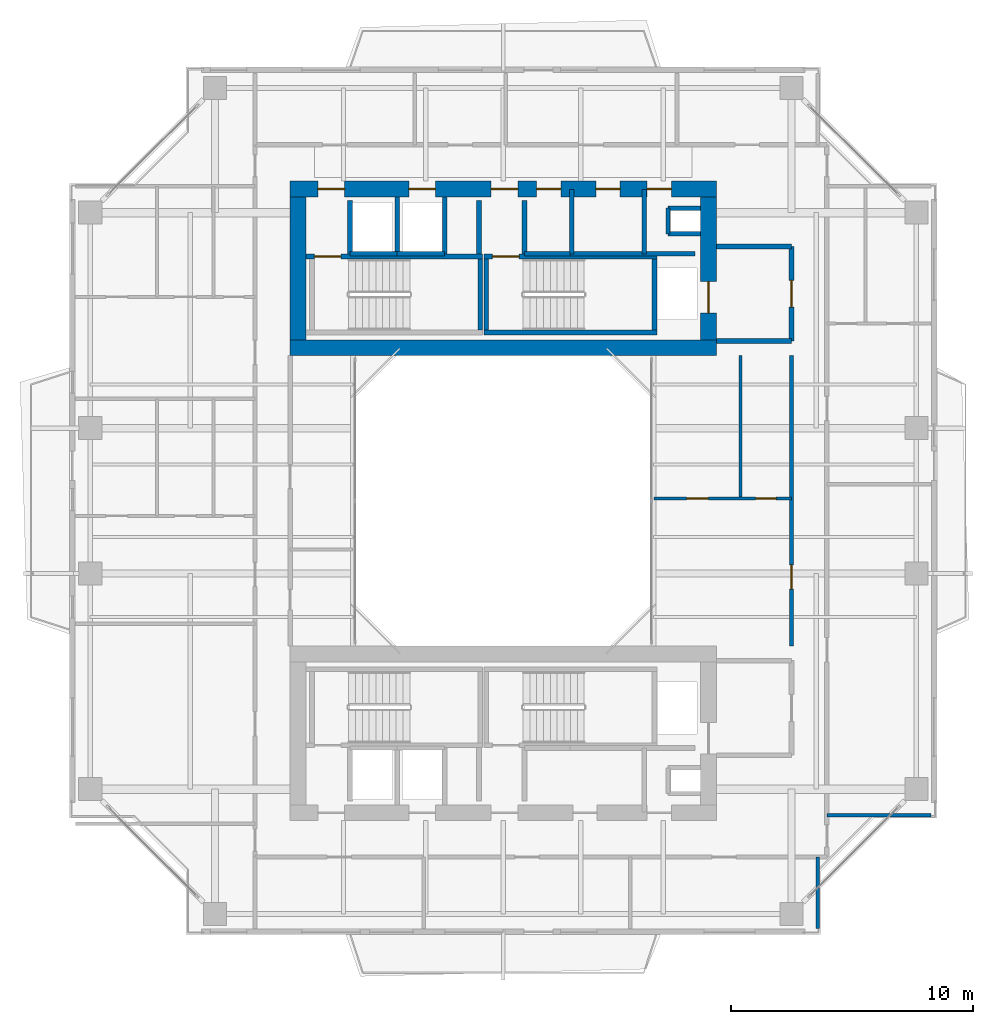
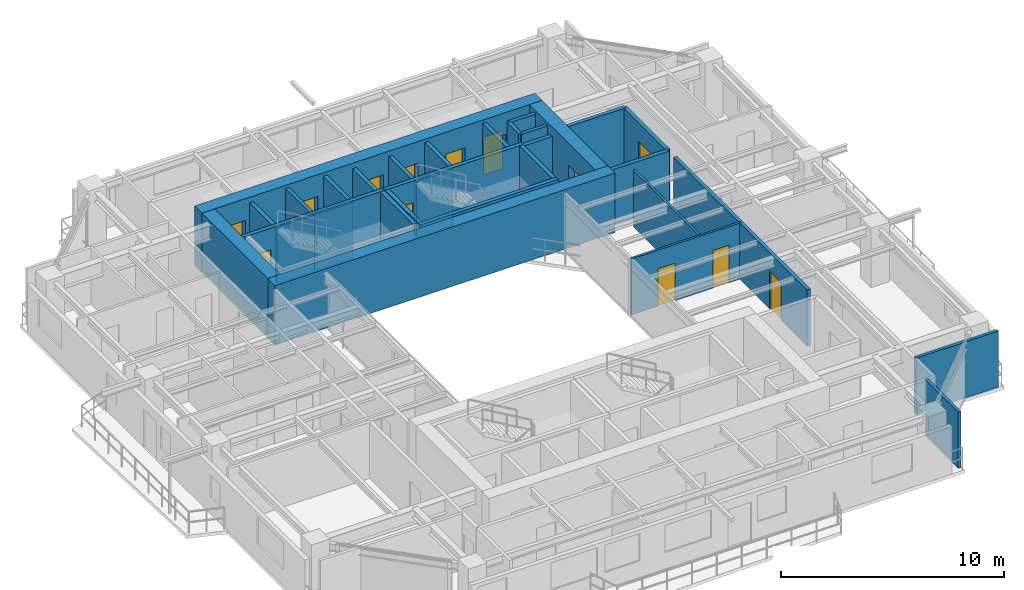
# One storey, part 13 of 18: 32 walls, 13 doors, 13 openings.
"""IFC4 building model written with IfcOpenShell, lengths in metres."""

from ifc_helpers import new_model, si_unit, direction, frame, frame_2d, origin, place, context, subcontext, project, spatial, rectangle, extrude, source, transform, mapped, material, layer, layer_set, type_object, element, fill, save


model = new_model("IFC4")

# Units and contexts
model_context = context("Model", 3, precision=1e-05, world=origin(), true_north=direction((0.0, 1.0)))
body_context = subcontext(model_context, "Body", "Model", "MODEL_VIEW")
ifc_project = project(units=[si_unit("LENGTHUNIT", "METRE"), si_unit("AREAUNIT", "SQUARE_METRE"), si_unit("VOLUMEUNIT", "CUBIC_METRE"), si_unit("PLANEANGLEUNIT", "RADIAN"), si_unit("MASSUNIT", "GRAM", prefix="KILO"), si_unit("THERMODYNAMICTEMPERATUREUNIT", "KELVIN"), si_unit("POWERUNIT", "WATT")], contexts=[model_context])

# Site, building, storey
site_placement = place(None, origin())
site = spatial("IfcSite", under=ifc_project, at=site_placement, CompositionType="ELEMENT")
building_placement = place(site_placement, origin())
building = spatial("IfcBuilding", under=site, at=building_placement, Name="Qiaomeng Ring Towers", CompositionType="ELEMENT")
storey_placement = place(building_placement, frame((0.0, 0.0, 147.0)))
storey = spatial("IfcBuildingStorey", under=building, at=storey_placement, Name="L42", CompositionType="ELEMENT", Elevation=147.0)

# Walls
ifc_material_1 = material(Name="Autoclaved aerated concrete block", Category="concrete")
ifc_layer_1 = layer(ifc_material_1, 0.199951171875, Name="Autoclaved aerated concrete block")
ifc_layer_set_1 = layer_set([ifc_layer_1], Name="Autoclaved aerated concrete block")
wall_type_1 = type_object("IfcWallType", Name="ARC-WL-PW1", PredefinedType="PARTITIONING", material=ifc_layer_set_1)
for number, where, z_axis, x_axis, name in (
    (1, (27.800048828125, 29.60009765625, 0.0), (0.0, 0.0, 1.0), (1.0, 0.0, 0.0), "L42 Interior Wall PW1"),
    (2, (27.800048828125, 33.5, 0.0), (0.0, 0.0, 1.0), (1.0, 0.0, 0.0), "L42 Interior Wall PW1"),
):
    element("IfcWall", number, at=place(storey_placement, frame(where, z_axis=z_axis, x_axis=x_axis)), inside=storey, type_object=wall_type_1, Name=name, PredefinedType="PARTITIONING", context=body_context, shape_type="SweptSolid", body=[
        extrude(rectangle(XDim=3.099853515625, YDim=0.199951171875, at=frame_2d((1.5498046875, 0.0))), origin(), (0.0, 0.0, 1.0), 3.070068359375),
    ])

# Wall, opening, door
wall_1_placement = place(storey_placement, frame((30.89990234375, 29.60009765625, 0.0), z_axis=(0.0, 0.0, 1.0), x_axis=(0.0, 1.0, 0.0)))
wall_1 = element("IfcWall", 3, at=wall_1_placement, inside=storey, type_object=wall_type_1, Name="L42 Interior Wall PW1", PredefinedType="PARTITIONING", context=body_context, shape_type="SweptSolid", body=[
    extrude(rectangle(XDim=3.89990234375, YDim=0.199951171875, at=frame_2d((1.949951171875, 0.0))), origin(), (0.0, 0.0, 1.0), 3.070068359375),
])
opening_1_placement = place(wall_1_placement, frame((1.39990234375, 0.0, 0.0)))
opening_1 = element("IfcOpeningElement", 4, at=opening_1_placement, cuts=wall_1, Name="Opening FD3", PredefinedType="OPENING", context=body_context, shape_type="SweptSolid", body=[
    extrude(rectangle(XDim=1.10009765625, YDim=2.050048828125, at=frame_2d((0.550048828125, 1.02490234375))), frame((0.0, 0.10986328125, 0.0), z_axis=(0.0, -1.0, 0.0), x_axis=(1.0, 0.0, 0.0)), (0.0, 0.0, 1.0), 0.219970703125),
])
ifc_material_2 = material(Name="Galvanised steel", Category="steel")
door_type_1 = type_object("IfcDoorType", Name="ARC-DR-FD3", OperationType="NOTDEFINED", PredefinedType="DOOR", material=ifc_material_2)
shared_shape_1 = source(origin(), body_context, "Body", "SweptSolid", [
    extrude(rectangle(XDim=1.10009765625, YDim=2.050048828125, at=frame_2d((0.550048828125, 1.02490234375))), frame((0.0, 0.02490234375, 0.0), z_axis=(0.0, -1.0, 0.0), x_axis=(1.0, 0.0, 0.0)), (0.0, 0.0, 1.0), 0.050048828125),
])
door_1_placement = place(opening_1_placement, origin())
door_1 = element("IfcDoor", 5, at=door_1_placement, inside=storey, type_object=door_type_1, Name="L42 North FF Lobby Door", OperationType="SINGLE_SWING_RIGHT", OverallHeight=2.050048828125, OverallWidth=1.10009765625, PredefinedType="DOOR", context=body_context, shape_type="MappedRepresentation", body=[
    mapped(shared_shape_1, transform((0.0, 0.0, 0.0), x_axis=(1.0, 0.0, 0.0), y_axis=(0.0, 1.0, 0.0), z_axis=(0.0, 0.0, 1.0), scale=1.0)),
])
fill(opening_1, door_1)

# Walls
for number, where, z_axis, x_axis, name in (
    (6, (12.679931640625, 33.18994140625, 0.0), (0.0, 0.0, 1.0), (0.0, 1.0, 0.0), "L42 Interior Wall PW1"),
    (7, (18.0, 33.18994140625, 0.0), (0.0, 0.0, 1.0), (0.0, 1.0, 0.0), "L42 Interior Wall PW1"),
    (8, (19.8798828125, 33.18994140625, 0.0), (0.0, 0.0, 1.0), (0.0, 1.0, 0.0), "L42 Interior Wall PW1"),
):
    element("IfcWall", number, at=place(storey_placement, frame(where, z_axis=z_axis, x_axis=x_axis)), inside=storey, type_object=wall_type_1, Name=name, PredefinedType="PARTITIONING", context=body_context, shape_type="SweptSolid", body=[
        extrude(rectangle(XDim=2.2099609375, YDim=0.199951171875, at=frame_2d((1.10498046875, 0.0))), origin(), (0.0, 0.0, 1.0), 3.070068359375),
    ])
wall_2_placement = place(storey_placement, frame((24.820068359375, 33.199951171875, 0.0), z_axis=(0.0, 0.0, 1.0), x_axis=(0.0, 1.0, 0.0)))
element("IfcWall", 9, at=wall_2_placement, inside=storey, type_object=wall_type_1, Name="L42 Interior Wall PW1", PredefinedType="PARTITIONING", context=body_context, shape_type="SweptSolid", body=[
    extrude(rectangle(XDim=2.650146484375, YDim=0.199951171875, at=frame_2d((1.3251953125, 0.0))), origin(), (0.0, 0.0, 1.0), 3.070068359375),
])
wall_3_placement = place(storey_placement, frame((19.8798828125, 33.199951171875, 0.0), z_axis=(0.0, 0.0, 1.0), x_axis=(1.0, 0.0, 0.0)))
element("IfcWall", 10, at=wall_3_placement, inside=storey, type_object=wall_type_1, Name="L42 Interior Wall PW1", PredefinedType="PARTITIONING", context=body_context, shape_type="SweptSolid", body=[
    extrude(rectangle(XDim=1.8701171875, YDim=0.199951171875, at=frame_2d((0.93505859375, 0.0))), origin(), (0.0, 0.0, 1.0), 3.070068359375),
])
wall_4_placement = place(storey_placement, frame((21.830078125, 33.199951171875, 0.0), z_axis=(0.0, 0.0, 1.0), x_axis=(0.0, 1.0, 0.0)))
element("IfcWall", 11, at=wall_4_placement, inside=storey, type_object=wall_type_1, Name="L42 Interior Wall PW1", PredefinedType="PARTITIONING", context=body_context, shape_type="SweptSolid", body=[
    extrude(rectangle(XDim=2.650146484375, YDim=0.199951171875, at=frame_2d((1.3251953125, 0.0))), origin(), (0.0, 0.0, 1.0), 3.070068359375),
])
wall_5_placement = place(storey_placement, frame((21.75, 33.199951171875, 0.0), z_axis=(0.0, 0.0, 1.0), x_axis=(1.0, 0.0, 0.0)))
element("IfcWall", 12, at=wall_5_placement, inside=storey, type_object=wall_type_1, Name="L42 Interior Wall PW1", PredefinedType="PARTITIONING", context=body_context, shape_type="SweptSolid", body=[
    extrude(rectangle(XDim=5.169921875, YDim=0.199951171875, at=frame_2d((2.5849609375, 0.0))), origin(), (0.0, 0.0, 1.0), 3.070068359375),
])

# Wall, opening, door
ifc_layer_2 = layer(ifc_material_1, 0.179931640625, Name="Autoclaved aerated concrete block")
ifc_layer_set_2 = layer_set([ifc_layer_2], Name="Autoclaved aerated concrete block")
wall_type_2 = type_object("IfcWallType", Name="ARC-WL-PW2", PredefinedType="PARTITIONING", material=ifc_layer_set_2)
wall_6_placement = place(storey_placement, frame((30.89990234375, 17.0, 0.0), z_axis=(0.0, 0.0, 1.0), x_axis=(0.0, 1.0, 0.0)))
wall_6 = element("IfcWall", 13, at=wall_6_placement, inside=storey, type_object=wall_type_2, Name="L42 Interior Wall PW2", PredefinedType="PARTITIONING", context=body_context, shape_type="SweptSolid", body=[
    extrude(rectangle(XDim=12.0, YDim=0.179931640625, at=frame_2d((6.0, 0.0))), origin(), (0.0, 0.0, 1.0), 3.070068359375),
])
opening_2_placement = place(wall_6_placement, frame((2.360107421875, 0.0, 0.0)))
opening_2 = element("IfcOpeningElement", 14, at=opening_2_placement, cuts=wall_6, Name="Opening FD4", PredefinedType="OPENING", context=body_context, shape_type="SweptSolid", body=[
    extrude(rectangle(XDim=1.0, YDim=2.050048828125, at=frame_2d((0.5, 1.02490234375))), frame((0.0, 0.099853515625, 0.0), z_axis=(0.0, -1.0, 0.0), x_axis=(1.0, 0.0, 0.0)), (0.0, 0.0, 1.0), 0.199951171875),
])
ifc_material_3 = material(Name="Engineered fire-rated oak timber", Category="wood")
door_type_2 = type_object("IfcDoorType", Name="ARC-DR-FD4", OperationType="NOTDEFINED", PredefinedType="DOOR", material=ifc_material_3)
shared_shape_2 = source(origin(), body_context, "Body", "SweptSolid", [
    extrude(rectangle(XDim=1.0, YDim=2.050048828125, at=frame_2d((0.5, 1.02490234375))), frame((0.0, 0.02490234375, 0.0), z_axis=(0.0, -1.0, 0.0), x_axis=(1.0, 0.0, 0.0)), (0.0, 0.0, 1.0), 0.050048828125),
])
door_2_placement = place(opening_2_placement, origin())
door_2 = element("IfcDoor", 15, at=door_2_placement, inside=storey, type_object=door_type_2, Name="L42 Door FD4", OperationType="SINGLE_SWING_LEFT", OverallHeight=2.050048828125, OverallWidth=1.0, PredefinedType="DOOR", context=body_context, shape_type="MappedRepresentation", body=[
    mapped(shared_shape_2, transform((0.0, 0.0, 0.0), x_axis=(1.0, 0.0, 0.0), y_axis=(0.0, 1.0, 0.0), z_axis=(0.0, 0.0, 1.0), scale=1.0)),
])
fill(opening_2, door_2)

# Walls
ifc_material_4 = material(Name="Gypsum fireboard steel-stud partition", Category="steel")
ifc_layer_3 = layer(ifc_material_4, 0.14990234375, Name="Gypsum fireboard steel-stud partition")
ifc_layer_set_3 = layer_set([ifc_layer_3], Name="Gypsum fireboard steel-stud partition")
wall_type_3 = type_object("IfcWallType", Name="ARC-WL-PW3", PredefinedType="PARTITIONING", material=ifc_layer_set_3)
wall_7_placement = place(storey_placement, frame((31.97998046875, 5.35009765625, 0.0), z_axis=(0.0, 0.0, 1.0), x_axis=(0.0, 1.0, 0.0)))
element("IfcWall", 16, at=wall_7_placement, inside=storey, type_object=wall_type_3, Name="L42 Interior Wall PW3", PredefinedType="PARTITIONING", context=body_context, shape_type="SweptSolid", body=[
    extrude(rectangle(XDim=2.949951171875, YDim=0.14990234375, at=frame_2d((1.47509765625, 0.0))), origin(), (0.0, 0.0, 1.0), 3.070068359375),
])
wall_8_placement = place(storey_placement, frame((32.360107421875, 10.02001953125, 0.0), z_axis=(0.0, 0.0, 1.0), x_axis=(1.0, 0.0, 0.0)))
element("IfcWall", 17, at=wall_8_placement, inside=storey, type_object=wall_type_3, Name="L42 Interior Wall PW3", PredefinedType="PARTITIONING", context=body_context, shape_type="SweptSolid", body=[
    extrude(rectangle(XDim=4.289794921875, YDim=0.14990234375, at=frame_2d((2.14501953125, 0.0))), origin(), (0.0, 0.0, 1.0), 3.070068359375),
])

# Wall, openings, doors
ifc_material_5 = material(Name="Moisture-resistant gypsum steel-stud partition", Category="steel")
ifc_layer_4 = layer(ifc_material_5, 0.1201171875, Name="Moisture-resistant gypsum steel-stud partition")
ifc_layer_set_4 = layer_set([ifc_layer_4], Name="Moisture-resistant gypsum steel-stud partition")
wall_type_4 = type_object("IfcWallType", Name="ARC-WL-PW4", PredefinedType="PLUMBINGWALL", material=ifc_layer_set_4)
wall_9_placement = place(storey_placement, frame((25.219970703125, 23.10009765625, 0.0), z_axis=(0.0, 0.0, 1.0), x_axis=(1.0, 0.0, 0.0)))
wall_9 = element("IfcWall", 18, at=wall_9_placement, inside=storey, type_object=wall_type_4, Name="L42 Interior Wall PW4", PredefinedType="PLUMBINGWALL", context=body_context, shape_type="SweptSolid", body=[
    extrude(rectangle(XDim=5.679931640625, YDim=0.1201171875, at=frame_2d((2.83984375, 0.0))), origin(), (0.0, 0.0, 1.0), 3.070068359375),
])
opening_3_placement = place(wall_9_placement, frame((1.35009765625, 0.0, 0.0)))
opening_3 = element("IfcOpeningElement", 19, at=opening_3_placement, cuts=wall_9, Name="Opening ID1", PredefinedType="OPENING", context=body_context, shape_type="SweptSolid", body=[
    extrude(rectangle(XDim=0.89990234375, YDim=2.050048828125, at=frame_2d((0.449951171875, 1.02490234375))), frame((0.0, 0.070068359375, 0.0), z_axis=(0.0, -1.0, 0.0), x_axis=(1.0, 0.0, 0.0)), (0.0, 0.0, 1.0), 0.14013671875),
])
opening_4_placement = place(wall_9_placement, frame((4.195068359375, 0.0, 0.0)))
opening_4 = element("IfcOpeningElement", 20, at=opening_4_placement, cuts=wall_9, Name="Opening ID2", PredefinedType="OPENING", context=body_context, shape_type="SweptSolid", body=[
    extrude(rectangle(XDim=0.85009765625, YDim=2.050048828125, at=frame_2d((0.425048828125, 1.02490234375))), frame((0.0, 0.070068359375, 0.0), z_axis=(0.0, -1.0, 0.0), x_axis=(1.0, 0.0, 0.0)), (0.0, 0.0, 1.0), 0.14013671875),
])
ifc_material_6 = material(Name="Moisture-resistant engineered timber", Category="wood")
door_type_3 = type_object("IfcDoorType", Name="ARC-DR-ID2", OperationType="NOTDEFINED", PredefinedType="DOOR", material=ifc_material_6)
shared_shape_3 = source(origin(), body_context, "Body", "SweptSolid", [
    extrude(rectangle(XDim=0.85009765625, YDim=2.050048828125, at=frame_2d((0.425048828125, 1.02490234375))), frame((0.0, 0.02490234375, 0.0), z_axis=(0.0, -1.0, 0.0), x_axis=(1.0, 0.0, 0.0)), (0.0, 0.0, 1.0), 0.050048828125),
])
door_3_placement = place(opening_4_placement, origin())
door_3 = element("IfcDoor", 21, at=door_3_placement, inside=storey, type_object=door_type_3, Name="L42 Door ID2", OperationType="SINGLE_SWING_RIGHT", OverallHeight=2.050048828125, OverallWidth=0.85009765625, PredefinedType="DOOR", context=body_context, shape_type="MappedRepresentation", body=[
    mapped(shared_shape_3, transform((0.0, 0.0, 0.0), x_axis=(1.0, 0.0, 0.0), y_axis=(0.0, 1.0, 0.0), z_axis=(0.0, 0.0, 1.0), scale=1.0)),
])
fill(opening_4, door_3)
ifc_material_7 = material(Name="Engineered oak timber", Category="wood")
door_type_4 = type_object("IfcDoorType", Name="ARC-DR-ID1", OperationType="NOTDEFINED", PredefinedType="DOOR", material=ifc_material_7)
shared_shape_4 = source(origin(), body_context, "Body", "SweptSolid", [
    extrude(rectangle(XDim=0.89990234375, YDim=2.050048828125, at=frame_2d((0.449951171875, 1.02490234375))), frame((0.0, 0.02490234375, 0.0), z_axis=(0.0, -1.0, 0.0), x_axis=(1.0, 0.0, 0.0)), (0.0, 0.0, 1.0), 0.050048828125),
])
door_4_placement = place(opening_3_placement, origin())
door_4 = element("IfcDoor", 22, at=door_4_placement, inside=storey, type_object=door_type_4, Name="L42 Door ID1", OperationType="SINGLE_SWING_LEFT", OverallHeight=2.050048828125, OverallWidth=0.89990234375, PredefinedType="DOOR", context=body_context, shape_type="MappedRepresentation", body=[
    mapped(shared_shape_4, transform((0.0, 0.0, 0.0), x_axis=(1.0, 0.0, 0.0), y_axis=(0.0, 1.0, 0.0), z_axis=(0.0, 0.0, 1.0), scale=1.0)),
])
fill(opening_3, door_4)

# Walls
wall_10_placement = place(storey_placement, frame((28.800048828125, 23.10009765625, 0.0), z_axis=(0.0, 0.0, 1.0), x_axis=(0.0, 1.0, 0.0)))
element("IfcWall", 23, at=wall_10_placement, inside=storey, type_object=wall_type_4, Name="L42 Interior Wall PW4", PredefinedType="PLUMBINGWALL", context=body_context, shape_type="SweptSolid", body=[
    extrude(rectangle(XDim=5.89990234375, YDim=0.1201171875, at=frame_2d((2.949951171875, 0.0))), origin(), (0.0, 0.0, 1.0), 3.070068359375),
])
ifc_material_8 = material(Name="Concrete C40", Category="concrete")
ifc_layer_5 = layer(ifc_material_8, 0.199951171875, Name="Concrete C40")
ifc_layer_set_5 = layer_set([ifc_layer_5], Name="Concrete C40")
wall_type_5 = type_object("IfcWallType", Name="STR-WL-STSHAFT", PredefinedType="SHEAR", material=ifc_layer_set_5)
wall_11_placement = place(storey_placement, frame((12.679931640625, 33.199951171875, 0.0), z_axis=(0.0, 0.0, 1.0), x_axis=(1.0, 0.0, 0.0)))
element("IfcWall", 24, at=wall_11_placement, inside=storey, type_object=wall_type_5, Name="L42 Lift LP5 Shaft Back Wall", PredefinedType="SHEAR", context=body_context, shape_type="SweptSolid", body=[
    extrude(rectangle(XDim=1.940185546875, YDim=0.179931640625, at=frame_2d((0.97021484375, 0.0))), origin(), (0.0, 0.0, 1.0), 3.070068359375),
])
wall_12_placement = place(storey_placement, frame((14.6201171875, 33.199951171875, 0.0), z_axis=(0.0, 0.0, 1.0), x_axis=(0.0, 1.0, 0.0)))
element("IfcWall", 25, at=wall_12_placement, inside=storey, type_object=wall_type_5, Name="L42 Lift LP5-LP3 Shaft Divider Wall", PredefinedType="SHEAR", context=body_context, shape_type="SweptSolid", body=[
    extrude(rectangle(XDim=2.35009765625, YDim=0.179931640625, at=frame_2d((1.175048828125, 0.0))), origin(), (0.0, 0.0, 1.0), 3.070068359375),
])
wall_13_placement = place(storey_placement, frame((25.800048828125, 34.02001953125, 0.0), z_axis=(0.0, 0.0, 1.0), x_axis=(0.0, 1.0, 0.0)))
element("IfcWall", 26, at=wall_13_placement, inside=storey, type_object=wall_type_5, Name="L42 Riser RSR1 West Shaft Wall N", PredefinedType="SHEAR", context=body_context, shape_type="SweptSolid", body=[
    extrude(rectangle(XDim=1.06005859375, YDim=0.179931640625, at=frame_2d((0.530029296875, 0.0))), origin(), (0.0, 0.0, 1.0), 3.070068359375),
])
for number, where, z_axis, x_axis, name in (
    (27, (25.800048828125, 35.080078125, 0.0), (0.0, 0.0, 1.0), (1.0, 0.0, 0.0), "L42 Riser RSR1 North Shaft Wall N"),
    (28, (25.800048828125, 34.02001953125, 0.0), (0.0, 0.0, 1.0), (1.0, 0.0, 0.0), "L42 Riser RSR1 South Shaft Wall N"),
):
    element("IfcWall", number, at=place(storey_placement, frame(where, z_axis=z_axis, x_axis=x_axis)), inside=storey, type_object=wall_type_5, Name=name, PredefinedType="SHEAR", context=body_context, shape_type="SweptSolid", body=[
        extrude(rectangle(XDim=1.349853515625, YDim=0.179931640625, at=frame_2d((0.6748046875, 0.0))), origin(), (0.0, 0.0, 1.0), 3.070068359375),
    ])
wall_14_placement = place(storey_placement, frame((14.6201171875, 33.199951171875, 0.0), z_axis=(0.0, 0.0, 1.0), x_axis=(1.0, 0.0, 0.0)))
element("IfcWall", 29, at=wall_14_placement, inside=storey, type_object=wall_type_5, Name="L42 Lift LP3 Shaft Back Wall", PredefinedType="SHEAR", context=body_context, shape_type="SweptSolid", body=[
    extrude(rectangle(XDim=1.9599609375, YDim=0.179931640625, at=frame_2d((0.97998046875, 0.0))), origin(), (0.0, 0.0, 1.0), 3.070068359375),
])
wall_15_placement = place(storey_placement, frame((16.580078125, 33.199951171875, 0.0), z_axis=(0.0, 0.0, 1.0), x_axis=(0.0, 1.0, 0.0)))
element("IfcWall", 30, at=wall_15_placement, inside=storey, type_object=wall_type_5, Name="L42 Lift LP3 East Shaft Wall", PredefinedType="SHEAR", context=body_context, shape_type="SweptSolid", body=[
    extrude(rectangle(XDim=2.35009765625, YDim=0.179931640625, at=frame_2d((1.175048828125, 0.0))), origin(), (0.0, 0.0, 1.0), 3.070068359375),
])

# Wall, opening, door
wall_16_placement = place(storey_placement, frame((10.85009765625, 33.090087890625, 0.0), z_axis=(0.0, 0.0, 1.0), x_axis=(1.0, 0.0, 0.0)))
wall_16 = element("IfcWall", 31, at=wall_16_placement, inside=storey, type_object=wall_type_5, Name="L42 Stair ST1 North Shaft Shear Wall", PredefinedType="SHEAR", context=body_context, shape_type="SweptSolid", body=[
    extrude(rectangle(XDim=7.2998046875, YDim=0.199951171875, at=frame_2d((3.64990234375, 0.0))), origin(), (0.0, 0.0, 1.0), 3.25),
])
opening_5_placement = place(wall_16_placement, frame((0.35009765625, 0.0, 0.0)))
opening_5 = element("IfcOpeningElement", 32, at=opening_5_placement, cuts=wall_16, Name="Opening FD3", PredefinedType="OPENING", context=body_context, shape_type="SweptSolid", body=[
    extrude(rectangle(XDim=1.10009765625, YDim=2.050048828125, at=frame_2d((0.550048828125, 1.02490234375))), frame((0.0, 0.10986328125, 0.0), z_axis=(0.0, -1.0, 0.0), x_axis=(1.0, 0.0, 0.0)), (0.0, 0.0, 1.0), 0.219970703125),
])
door_5_placement = place(opening_5_placement, origin())
door_5 = element("IfcDoor", 33, at=door_5_placement, inside=storey, type_object=door_type_1, Name="L42 Stair ST1 Exit Door", OperationType="SINGLE_SWING_LEFT", OverallHeight=2.050048828125, OverallWidth=1.10009765625, PredefinedType="DOOR", context=body_context, shape_type="MappedRepresentation", body=[
    mapped(shared_shape_1, transform((0.0, 0.0, 0.0), x_axis=(1.0, 0.0, 0.0), y_axis=(0.0, 1.0, 0.0), z_axis=(0.0, 0.0, 1.0), scale=1.0)),
])
fill(opening_5, door_5)

# Walls
wall_17_placement = place(storey_placement, frame((18.050048828125, 30.050048828125, 0.0), z_axis=(0.0, 0.0, 1.0), x_axis=(0.0, 1.0, 0.0)))
element("IfcWall", 34, at=wall_17_placement, inside=storey, type_object=wall_type_5, Name="L42 Stair ST1 East Shaft Shear Wall", PredefinedType="SHEAR", context=body_context, shape_type="SweptSolid", body=[
    extrude(rectangle(XDim=2.93994140625, YDim=0.199951171875, at=frame_2d((1.469970703125, 0.0))), origin(), (0.0, 0.0, 1.0), 3.25),
])
wall_18_placement = place(storey_placement, frame((18.199951171875, 29.949951171875, 0.0), z_axis=(0.0, 0.0, 1.0), x_axis=(1.0, 0.0, 0.0)))
element("IfcWall", 35, at=wall_18_placement, inside=storey, type_object=wall_type_5, Name="L42 Stair ST2 South Shaft Shear Wall", PredefinedType="SHEAR", context=body_context, shape_type="SweptSolid", body=[
    extrude(rectangle(XDim=7.150146484375, YDim=0.199951171875, at=frame_2d((3.5751953125, 0.0))), origin(), (0.0, 0.0, 1.0), 3.25),
])

# Wall, opening, door
wall_19_placement = place(storey_placement, frame((18.199951171875, 33.090087890625, 0.0), z_axis=(0.0, 0.0, 1.0), x_axis=(1.0, 0.0, 0.0)))
wall_19 = element("IfcWall", 36, at=wall_19_placement, inside=storey, type_object=wall_type_5, Name="L42 Stair ST2 North Shaft Shear Wall", PredefinedType="SHEAR", context=body_context, shape_type="SweptSolid", body=[
    extrude(rectangle(XDim=7.150146484375, YDim=0.199951171875, at=frame_2d((3.5751953125, 0.0))), origin(), (0.0, 0.0, 1.0), 3.25),
])
opening_6_placement = place(wall_19_placement, frame((0.35009765625, 0.0, 0.0)))
opening_6 = element("IfcOpeningElement", 37, at=opening_6_placement, cuts=wall_19, Name="Opening FD3", PredefinedType="OPENING", context=body_context, shape_type="SweptSolid", body=[
    extrude(rectangle(XDim=1.10009765625, YDim=2.050048828125, at=frame_2d((0.550048828125, 1.02490234375))), frame((0.0, 0.10986328125, 0.0), z_axis=(0.0, -1.0, 0.0), x_axis=(1.0, 0.0, 0.0)), (0.0, 0.0, 1.0), 0.219970703125),
])
door_6_placement = place(opening_6_placement, origin())
door_6 = element("IfcDoor", 38, at=door_6_placement, inside=storey, type_object=door_type_1, Name="L42 Stair ST2 Exit Door", OperationType="SINGLE_SWING_LEFT", OverallHeight=2.050048828125, OverallWidth=1.10009765625, PredefinedType="DOOR", context=body_context, shape_type="MappedRepresentation", body=[
    mapped(shared_shape_1, transform((0.0, 0.0, 0.0), x_axis=(1.0, 0.0, 0.0), y_axis=(0.0, 1.0, 0.0), z_axis=(0.0, 0.0, 1.0), scale=1.0)),
])
fill(opening_6, door_6)

# Walls
for number, where, z_axis, x_axis, name in (
    (39, (18.300048828125, 30.050048828125, 0.0), (0.0, 0.0, 1.0), (0.0, 1.0, 0.0), "L42 Stair ST2 West Shaft Shear Wall"),
    (40, (25.25, 30.050048828125, 0.0), (0.0, 0.0, 1.0), (0.0, 1.0, 0.0), "L42 Stair ST2 East Shaft Shear Wall"),
):
    element("IfcWall", number, at=place(storey_placement, frame(where, z_axis=z_axis, x_axis=x_axis)), inside=storey, type_object=wall_type_5, Name=name, PredefinedType="SHEAR", context=body_context, shape_type="SweptSolid", body=[
        extrude(rectangle(XDim=2.93994140625, YDim=0.199951171875, at=frame_2d((1.469970703125, 0.0))), origin(), (0.0, 0.0, 1.0), 3.25),
    ])
ifc_material_9 = material(Name="Concrete C50", Category="concrete")
ifc_layer_6 = layer(ifc_material_9, 0.64990234375, Name="Concrete C50")
ifc_layer_set_6 = layer_set([ifc_layer_6], Name="Concrete C50")
wall_type_6 = type_object("IfcWallType", Name="STR-WL-SW2B", PredefinedType="SHEAR", material=ifc_layer_set_6)
wall_20_placement = place(storey_placement, frame((10.199951171875, 29.324951171875, 0.0), z_axis=(0.0, 0.0, 1.0), x_axis=(1.0, 0.0, 0.0)))
element("IfcWall", 41, at=wall_20_placement, inside=storey, type_object=wall_type_6, Name="L42 T1NC south core shear wall", PredefinedType="SHEAR", context=body_context, shape_type="SweptSolid", body=[
    extrude(rectangle(XDim=17.60009765625, YDim=0.64990234375, at=frame_2d((8.800048828125, 0.0))), origin(), (0.0, 0.0, 1.0), 3.25),
])

# Wall, openings, doors
wall_21_placement = place(storey_placement, frame((10.199951171875, 35.875, 0.0), z_axis=(0.0, 0.0, 1.0), x_axis=(1.0, 0.0, 0.0)))
wall_21 = element("IfcWall", 42, at=wall_21_placement, inside=storey, type_object=wall_type_6, Name="L42 T1NC north core shear wall", PredefinedType="SHEAR", context=body_context, shape_type="SweptSolid", body=[
    extrude(rectangle(XDim=17.60009765625, YDim=0.64990234375, at=frame_2d((8.800048828125, 0.0))), origin(), (0.0, 0.0, 1.0), 3.25),
])
opening_7_placement = place(wall_21_placement, frame((1.14990234375, 0.0, 0.0)))
opening_7 = element("IfcOpeningElement", 43, at=opening_7_placement, cuts=wall_21, Name="Opening FD3", PredefinedType="OPENING", context=body_context, shape_type="SweptSolid", body=[
    extrude(rectangle(XDim=1.10009765625, YDim=2.050048828125, at=frame_2d((0.550048828125, 1.02490234375))), frame((0.0, 0.3349609375, 0.0), z_axis=(0.0, -1.0, 0.0), x_axis=(1.0, 0.0, 0.0)), (0.0, 0.0, 1.0), 0.669921875),
])
opening_8_placement = place(wall_21_placement, frame((8.300048828125, 0.0, 0.0)))
opening_8 = element("IfcOpeningElement", 44, at=opening_8_placement, cuts=wall_21, Name="Opening FD3", PredefinedType="OPENING", context=body_context, shape_type="SweptSolid", body=[
    extrude(rectangle(XDim=1.10009765625, YDim=2.050048828125, at=frame_2d((0.550048828125, 1.02490234375))), frame((0.0, 0.3349609375, 0.0), z_axis=(0.0, -1.0, 0.0), x_axis=(1.0, 0.0, 0.0)), (0.0, 0.0, 1.0), 0.669921875),
])
opening_9_placement = place(wall_21_placement, frame((4.89990234375, 0.0, 0.0)))
opening_9 = element("IfcOpeningElement", 45, at=opening_9_placement, cuts=wall_21, Name="Opening LD1", PredefinedType="OPENING", context=body_context, shape_type="SweptSolid", body=[
    extrude(rectangle(XDim=1.10009765625, YDim=2.050048828125, at=frame_2d((0.550048828125, 1.02490234375))), frame((0.0, 0.3349609375, 0.0), z_axis=(0.0, -1.0, 0.0), x_axis=(1.0, 0.0, 0.0)), (0.0, 0.0, 1.0), 0.669921875),
])
opening_10_placement = place(wall_21_placement, frame((14.739990234375, 0.0, 0.0)))
opening_10 = element("IfcOpeningElement", 46, at=opening_10_placement, cuts=wall_21, Name="Opening FD1", PredefinedType="OPENING", context=body_context, shape_type="SweptSolid", body=[
    extrude(rectangle(XDim=1.0, YDim=2.050048828125, at=frame_2d((0.5, 1.02490234375))), frame((0.0, 0.3349609375, 0.0), z_axis=(0.0, -1.0, 0.0), x_axis=(1.0, 0.0, 0.0)), (0.0, 0.0, 1.0), 0.669921875),
])
opening_11_placement = place(wall_21_placement, frame((10.175048828125, 0.0, 0.0)))
opening_11 = element("IfcOpeningElement", 47, at=opening_11_placement, cuts=wall_21, Name="Opening FD1", PredefinedType="OPENING", context=body_context, shape_type="SweptSolid", body=[
    extrude(rectangle(XDim=1.0, YDim=2.050048828125, at=frame_2d((0.5, 1.02490234375))), frame((0.0, 0.3349609375, 0.0), z_axis=(0.0, -1.0, 0.0), x_axis=(1.0, 0.0, 0.0)), (0.0, 0.0, 1.0), 0.669921875),
])
opening_12_placement = place(wall_21_placement, frame((12.625, 0.0, 0.0)))
opening_12 = element("IfcOpeningElement", 48, at=opening_12_placement, cuts=wall_21, Name="Opening FD1", PredefinedType="OPENING", context=body_context, shape_type="SweptSolid", body=[
    extrude(rectangle(XDim=1.0, YDim=2.050048828125, at=frame_2d((0.5, 1.02490234375))), frame((0.0, 0.3349609375, 0.0), z_axis=(0.0, -1.0, 0.0), x_axis=(1.0, 0.0, 0.0)), (0.0, 0.0, 1.0), 0.669921875),
])
door_7_placement = place(opening_7_placement, origin())
door_7 = element("IfcDoor", 49, at=door_7_placement, inside=storey, type_object=door_type_1, Name="L42 Stair ST1 Lobby Door", OperationType="SINGLE_SWING_RIGHT", OverallHeight=2.050048828125, OverallWidth=1.10009765625, PredefinedType="DOOR", context=body_context, shape_type="MappedRepresentation", body=[
    mapped(shared_shape_1, transform((0.0, 0.0, 0.0), x_axis=(1.0, 0.0, 0.0), y_axis=(0.0, 1.0, 0.0), z_axis=(0.0, 0.0, 1.0), scale=1.0)),
])
fill(opening_7, door_7)
door_8_placement = place(opening_8_placement, origin())
door_8 = element("IfcDoor", 50, at=door_8_placement, inside=storey, type_object=door_type_1, Name="L42 Stair ST2 Lobby Door", OperationType="SINGLE_SWING_RIGHT", OverallHeight=2.050048828125, OverallWidth=1.10009765625, PredefinedType="DOOR", context=body_context, shape_type="MappedRepresentation", body=[
    mapped(shared_shape_1, transform((0.0, 0.0, 0.0), x_axis=(1.0, 0.0, 0.0), y_axis=(0.0, 1.0, 0.0), z_axis=(0.0, 0.0, 1.0), scale=1.0)),
])
fill(opening_8, door_8)
ifc_material_10 = material(Name="Stainless steel 316", Category="steel")
door_type_5 = type_object("IfcDoorType", Name="ARC-DR-LD1", OperationType="NOTDEFINED", PredefinedType="DOOR", material=ifc_material_10)
door_9_placement = place(opening_9_placement, origin())
door_9 = element("IfcDoor", 51, at=door_9_placement, inside=storey, type_object=door_type_5, Name="L42 Mid-Zone Lift LP3 Landing Door", OperationType="SLIDING_TO_LEFT", OverallHeight=2.050048828125, OverallWidth=1.10009765625, PredefinedType="DOOR", context=body_context, shape_type="MappedRepresentation", body=[
    mapped(shared_shape_1, transform((0.0, 0.0, 0.0), x_axis=(1.0, 0.0, 0.0), y_axis=(0.0, 1.0, 0.0), z_axis=(0.0, 0.0, 1.0), scale=1.0)),
])
fill(opening_9, door_9)
door_type_6 = type_object("IfcDoorType", Name="ARC-DR-FD1", OperationType="NOTDEFINED", PredefinedType="DOOR", material=ifc_material_2)
door_10_placement = place(opening_10_placement, origin())
door_10 = element("IfcDoor", 52, at=door_10_placement, inside=storey, type_object=door_type_6, Name="L42 North Electrical Riser Door", OperationType="SINGLE_SWING_RIGHT", OverallHeight=2.050048828125, OverallWidth=1.0, PredefinedType="DOOR", context=body_context, shape_type="MappedRepresentation", body=[
    mapped(shared_shape_2, transform((0.0, 0.0, 0.0), x_axis=(1.0, 0.0, 0.0), y_axis=(0.0, 1.0, 0.0), z_axis=(0.0, 0.0, 1.0), scale=1.0)),
])
fill(opening_10, door_10)
door_11_placement = place(opening_11_placement, origin())
door_11 = element("IfcDoor", 53, at=door_11_placement, inside=storey, type_object=door_type_6, Name="L42 North Cleaners Store Door", OperationType="SINGLE_SWING_RIGHT", OverallHeight=2.050048828125, OverallWidth=1.0, PredefinedType="DOOR", context=body_context, shape_type="MappedRepresentation", body=[
    mapped(shared_shape_2, transform((0.0, 0.0, 0.0), x_axis=(1.0, 0.0, 0.0), y_axis=(0.0, 1.0, 0.0), z_axis=(0.0, 0.0, 1.0), scale=1.0)),
])
fill(opening_11, door_11)
door_12_placement = place(opening_12_placement, origin())
door_12 = element("IfcDoor", 54, at=door_12_placement, inside=storey, type_object=door_type_6, Name="L42 North Telemetry Office Door", OperationType="SINGLE_SWING_LEFT", OverallHeight=2.050048828125, OverallWidth=1.0, PredefinedType="DOOR", context=body_context, shape_type="MappedRepresentation", body=[
    mapped(shared_shape_2, transform((0.0, 0.0, 0.0), x_axis=(1.0, 0.0, 0.0), y_axis=(0.0, 1.0, 0.0), z_axis=(0.0, 0.0, 1.0), scale=1.0)),
])
fill(opening_12, door_12)

# Wall
wall_22_placement = place(storey_placement, frame((10.52490234375, 29.64990234375, 0.0), z_axis=(0.0, 0.0, 1.0), x_axis=(0.0, 1.0, 0.0)))
element("IfcWall", 55, at=wall_22_placement, inside=storey, type_object=wall_type_6, Name="L42 T1NC west core shear wall", PredefinedType="SHEAR", context=body_context, shape_type="SweptSolid", body=[
    extrude(rectangle(XDim=5.900146484375, YDim=0.64990234375, at=frame_2d((2.9501953125, 0.0))), origin(), (0.0, 0.0, 1.0), 3.25),
])

# Wall, opening, door
wall_23_placement = place(storey_placement, frame((27.47509765625, 29.64990234375, 0.0), z_axis=(0.0, 0.0, 1.0), x_axis=(0.0, 1.0, 0.0)))
wall_23 = element("IfcWall", 56, at=wall_23_placement, inside=storey, type_object=wall_type_6, Name="L42 T1NC east core shear wall", PredefinedType="SHEAR", context=body_context, shape_type="SweptSolid", body=[
    extrude(rectangle(XDim=5.900146484375, YDim=0.64990234375, at=frame_2d((2.9501953125, 0.0))), origin(), (0.0, 0.0, 1.0), 3.25),
])
opening_13_placement = place(wall_23_placement, frame((1.10009765625, 0.0, 0.0)))
opening_13 = element("IfcOpeningElement", 57, at=opening_13_placement, cuts=wall_23, Name="Opening LD2", PredefinedType="OPENING", context=body_context, shape_type="SweptSolid", body=[
    extrude(rectangle(XDim=1.300048828125, YDim=2.050048828125, at=frame_2d((0.64990234375, 1.02490234375))), frame((0.0, 0.3349609375, 0.0), z_axis=(0.0, -1.0, 0.0), x_axis=(1.0, 0.0, 0.0)), (0.0, 0.0, 1.0), 0.669921875),
])
door_type_7 = type_object("IfcDoorType", Name="ARC-DR-LD2", OperationType="NOTDEFINED", PredefinedType="DOOR", material=ifc_material_10)
shared_shape_5 = source(origin(), body_context, "Body", "SweptSolid", [
    extrude(rectangle(XDim=1.300048828125, YDim=2.050048828125, at=frame_2d((0.64990234375, 1.02490234375))), frame((0.0, 0.02490234375, 0.0), z_axis=(0.0, -1.0, 0.0), x_axis=(1.0, 0.0, 0.0)), (0.0, 0.0, 1.0), 0.050048828125),
])
door_13_placement = place(opening_13_placement, origin())
door_13 = element("IfcDoor", 58, at=door_13_placement, inside=storey, type_object=door_type_7, Name="L42 Firefighting Lift FL1 Landing Door", OperationType="SLIDING_TO_LEFT", OverallHeight=2.050048828125, OverallWidth=1.300048828125, PredefinedType="DOOR", context=body_context, shape_type="MappedRepresentation", body=[
    mapped(shared_shape_5, transform((0.0, 0.0, 0.0), x_axis=(1.0, 0.0, 0.0), y_axis=(0.0, 1.0, 0.0), z_axis=(0.0, 0.0, 1.0), scale=1.0)),
])
fill(opening_13, door_13)

save(model, "model.ifc")
